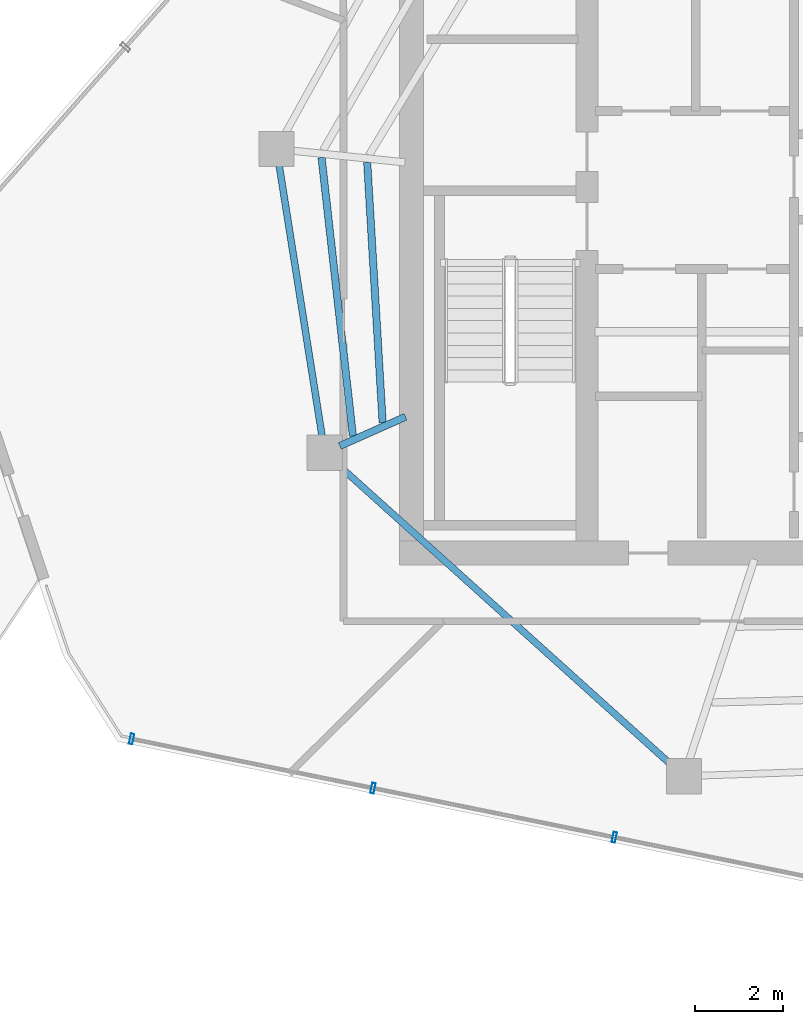
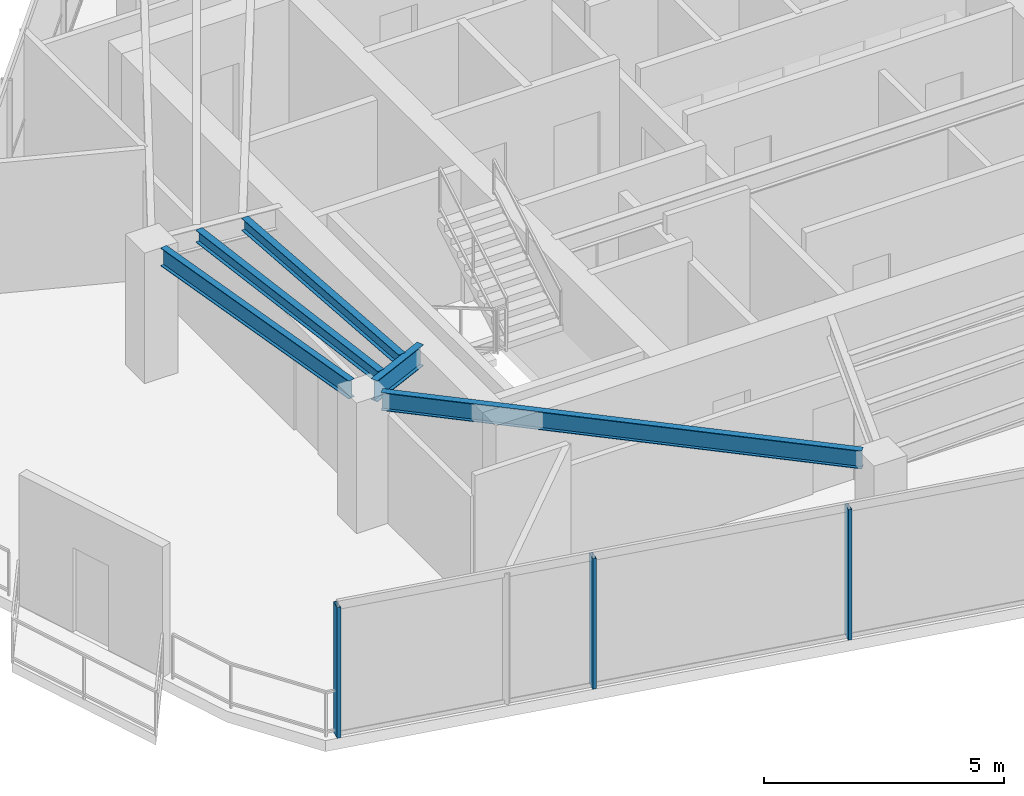
# One storey, part 2 of 18: 5 beams, 3 members, 1 element without a shape of its own.
"""IFC4 building model written with IfcOpenShell, lengths in metres."""

from ifc_helpers import new_model, si_unit, direction, frame, origin, origin_2d, place, context, subcontext, project, spatial, hollow_rectangle, i_section, extrude, material, layer, layer_set, material_profile, profile_set, type_object, element, aggregate, save


model = new_model("IFC4")

# Units and contexts
model_context = context("Model", 3, precision=1e-05, world=origin(), true_north=direction((0.0, 1.0)))
body_context = subcontext(model_context, "Body", "Model", "MODEL_VIEW")
ifc_project = project(units=[si_unit("LENGTHUNIT", "METRE"), si_unit("AREAUNIT", "SQUARE_METRE"), si_unit("VOLUMEUNIT", "CUBIC_METRE"), si_unit("PLANEANGLEUNIT", "RADIAN"), si_unit("MASSUNIT", "GRAM", prefix="KILO")], contexts=[model_context])

# Site, building, storey
site_placement = place(None, origin())
site = spatial("IfcSite", under=ifc_project, at=site_placement, CompositionType="ELEMENT")
building_placement = place(site_placement, origin())
building = spatial("IfcBuilding", under=site, at=building_placement, Name="Qarnah Convention Tower", CompositionType="ELEMENT")
storey_placement = place(building_placement, frame((0.0, 0.0, 249.89990234375)))
storey = spatial("IfcBuildingStorey", under=building, at=storey_placement, Name="L67", CompositionType="ELEMENT", Elevation=249.89990234375)

# Beams
ifc_material_1 = material(Name="Structural steel S355JR", Category="steel")
ifc_material_profile_1 = material_profile(ifc_material_1, i_section(OverallWidth=0.166015625, OverallDepth=0.31201171875, WebThickness=0.007080078125, FlangeThickness=0.010986328125, at=origin_2d()), Name="W310X45")
ifc_profile_set_1 = profile_set([ifc_material_profile_1], Name="Structural steel S355JR")
beam_type_1 = type_object("IfcBeamType", Name="BM-JST-W310", PredefinedType="JOIST", material=ifc_profile_set_1)
beam_1_placement = place(storey_placement, frame((24.7490234375, 27.6201171875, 3.1640625), z_axis=(0.111886248567, -0.993721020902, 0.0), x_axis=(0.993721020902, 0.111886248567, 0.0)))
element("IfcBeam", 1, at=beam_1_placement, inside=storey, type_object=beam_type_1, Name="L67 joist BM-L67-SJST-05", PredefinedType="JOIST", context=body_context, shape_type="SweptSolid", body=[
    extrude(i_section(OverallWidth=0.166015625, OverallDepth=0.31201171875, WebThickness=0.007080078125, FlangeThickness=0.010986328125, at=origin_2d()), origin(), (0.0, 0.0, 1.0), 6.39111328125),
])
beam_2_placement = place(storey_placement, frame((25.7900390625, 27.510009765625, 3.1640625), z_axis=(0.059154877701, -0.998248816901, 0.0), x_axis=(0.998248816901, 0.059154877701, 0.0)))
element("IfcBeam", 2, at=beam_2_placement, inside=storey, type_object=beam_type_1, Name="L67 joist BM-L67-IJST-05", PredefinedType="JOIST", context=body_context, shape_type="SweptSolid", body=[
    extrude(i_section(OverallWidth=0.166015625, OverallDepth=0.31201171875, WebThickness=0.007080078125, FlangeThickness=0.010986328125, at=origin_2d()), origin(), (0.0, 0.0, 1.0), 5.951416015625),
])
ifc_material_profile_2 = material_profile(ifc_material_1, i_section(OverallWidth=0.166015625, OverallDepth=0.535888671875, WebThickness=0.010009765625, FlangeThickness=0.01708984375, at=origin_2d()), Name="W530X85")
ifc_profile_set_2 = profile_set([ifc_material_profile_2], Name="Structural steel S355JR")
beam_type_2 = type_object("IfcBeamType", Name="BM-RAD-W530B", PredefinedType="BEAM", material=ifc_profile_set_2)
beam_3_placement = place(storey_placement, frame((26.6630859375, 21.708984375, 3.052001953125), z_axis=(-0.913688456795, -0.406415309652, 0.0), x_axis=(0.406415309652, -0.913688456795, 0.0)))
element("IfcBeam", 3, at=beam_3_placement, inside=storey, type_object=beam_type_2, Name="L67 beam BM-L67-RAD-06", PredefinedType="BEAM", context=body_context, shape_type="SweptSolid", body=[
    extrude(i_section(OverallWidth=0.166015625, OverallDepth=0.535888671875, WebThickness=0.010009765625, FlangeThickness=0.01708984375, at=origin_2d()), origin(), (0.0, 0.0, 1.0), 1.636474609375),
])
ifc_material_profile_3 = material_profile(ifc_material_1, i_section(OverallWidth=0.154052734375, OverallDepth=0.4599609375, WebThickness=0.009033203125, FlangeThickness=0.014892578125, at=origin_2d()), Name="W460X68")
ifc_profile_set_3 = profile_set([ifc_material_profile_3], Name="Structural steel S355JR")
beam_type_3 = type_object("IfcBeamType", Name="BM-SPN-W460B", PredefinedType="SPANDREL", material=ifc_profile_set_3)
beam_4_placement = place(storey_placement, frame((23.784912109375, 27.430908203125, 3.090087890625), z_axis=(0.156423110156, -0.987690138965, 0.0), x_axis=(0.987690138965, 0.156423110156, 0.0)))
element("IfcBeam", 4, at=beam_4_placement, inside=storey, type_object=beam_type_3, Name="L67 spandrel BM-L67-SPN-05", PredefinedType="SPANDREL", context=body_context, shape_type="SweptSolid", body=[
    extrude(i_section(OverallWidth=0.154052734375, OverallDepth=0.4599609375, WebThickness=0.009033203125, FlangeThickness=0.014892578125, at=origin_2d()), origin(), (0.0, 0.0, 1.0), 6.233642578125),
])
beam_5_placement = place(storey_placement, frame((25.111083984375, 20.6279296875, 3.090087890625), z_axis=(0.743130570512, -0.669146437762, 0.0), x_axis=(0.669146437762, 0.743130570512, 0.0)))
element("IfcBeam", 5, at=beam_5_placement, inside=storey, type_object=beam_type_3, Name="L67 spandrel BM-L67-SPN-06", PredefinedType="SPANDREL", context=body_context, shape_type="SweptSolid", body=[
    extrude(i_section(OverallWidth=0.154052734375, OverallDepth=0.4599609375, WebThickness=0.009033203125, FlangeThickness=0.014892578125, at=origin_2d()), origin(), (0.0, 0.0, 1.0), 10.242919921875),
])

# Curtain wall, members
ifc_material_2 = material(Name="Tempered Low-E dark glass", Category="glass")
ifc_layer = layer(ifc_material_2, 0.176025390625)
ifc_layer_set = layer_set([ifc_layer], Name="Tempered Low-E dark glass")
curtain_wall_type = type_object("IfcCurtainWallType", Name="CWS-05", PredefinedType="NOTDEFINED", material=ifc_layer_set)
curtain_wall_placement = place(storey_placement, origin())
curtain_wall = element("IfcCurtainWall", 6, at=curtain_wall_placement, inside=storey, type_object=curtain_wall_type, Name="L67 unitised curtain wall CW-L67-F3", PredefinedType="NOTDEFINED")
ifc_material_3 = material(Name="Black anodised aluminium", Category="aluminium")
ifc_material_profile_4 = material_profile(ifc_material_3, hollow_rectangle(XDim=0.080078125, YDim=0.239990234375, WallThickness=0.0048828125, at=origin_2d()), Name="MUL-80X240")
ifc_profile_set_4 = profile_set([ifc_material_profile_4], Name="Black anodised aluminium")
member_type = type_object("IfcMemberType", Name="MUL-T5", PredefinedType="MULLION", material=ifc_profile_set_4)
member_1_placement = place(storey_placement, frame((31.424072265625, 12.119873046875, 0.0), z_axis=(0.0, 0.0, 1.0), x_axis=(-0.979847899311, 0.199745073068, 0.0)))
member_1 = element("IfcMember", 7, at=member_1_placement, type_object=member_type, Name="CW-L67-F3 mullion 4", PredefinedType="MULLION", context=body_context, shape_type="SweptSolid", body=[
    extrude(hollow_rectangle(XDim=0.080078125, YDim=0.239990234375, WallThickness=0.0048828125, at=origin_2d()), origin(), (0.0, 0.0, 1.0), 3.320068359375),
])
member_2_placement = place(storey_placement, frame((25.922119140625, 13.241455078125, 0.0), z_axis=(0.0, 0.0, 1.0), x_axis=(-0.979847899311, 0.199745073068, 0.0)))
member_2 = element("IfcMember", 8, at=member_2_placement, type_object=member_type, Name="CW-L67-F3 mullion 5", PredefinedType="MULLION", context=body_context, shape_type="SweptSolid", body=[
    extrude(hollow_rectangle(XDim=0.080078125, YDim=0.239990234375, WallThickness=0.0048828125, at=origin_2d()), origin(), (0.0, 0.0, 1.0), 3.320068359375),
])
member_3_placement = place(storey_placement, frame((20.419921875, 14.363037109375, 0.0), z_axis=(0.0, 0.0, 1.0), x_axis=(-0.979847899311, 0.199745073068, 0.0)))
member_3 = element("IfcMember", 9, at=member_3_placement, type_object=member_type, Name="CW-L67-F3 mullion 6", PredefinedType="MULLION", context=body_context, shape_type="SweptSolid", body=[
    extrude(hollow_rectangle(XDim=0.080078125, YDim=0.239990234375, WallThickness=0.0048828125, at=origin_2d()), origin(), (0.0, 0.0, 1.0), 3.320068359375),
])
aggregate(curtain_wall, [member_1, member_2, member_3])

save(model, "model.ifc")
